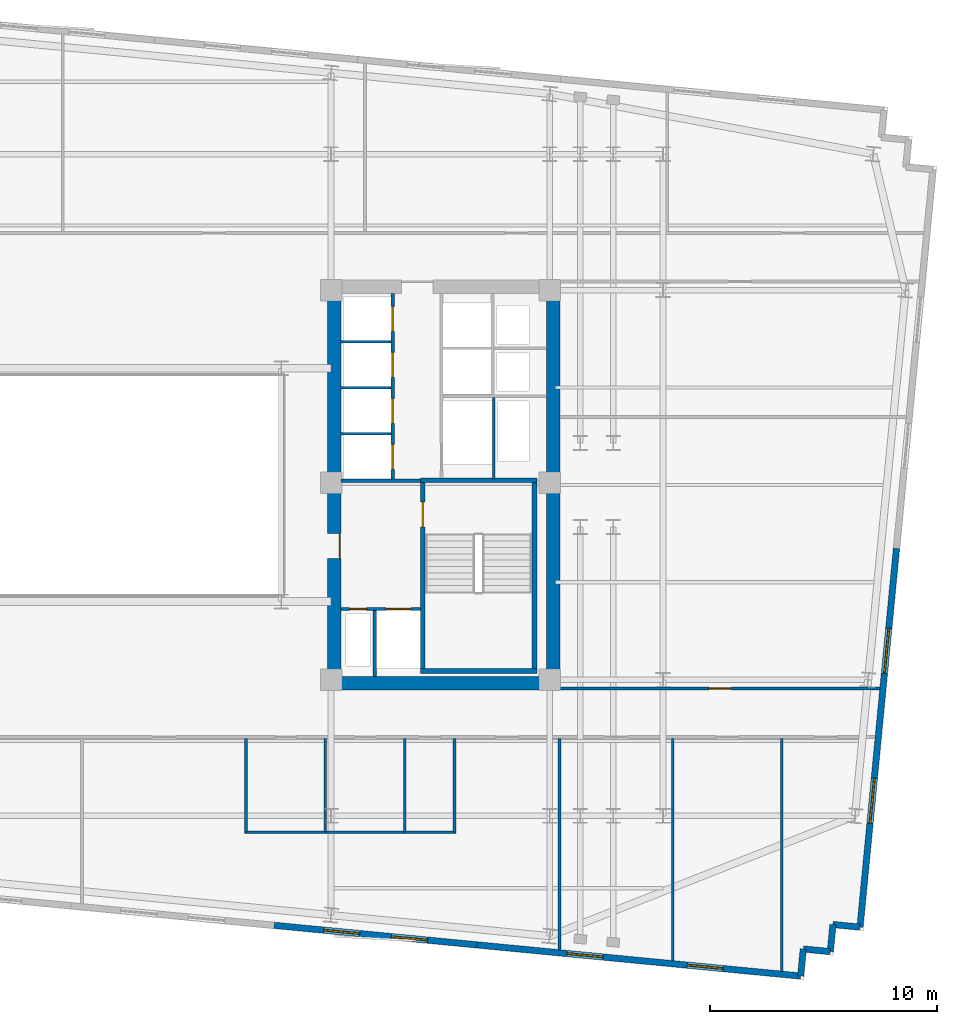
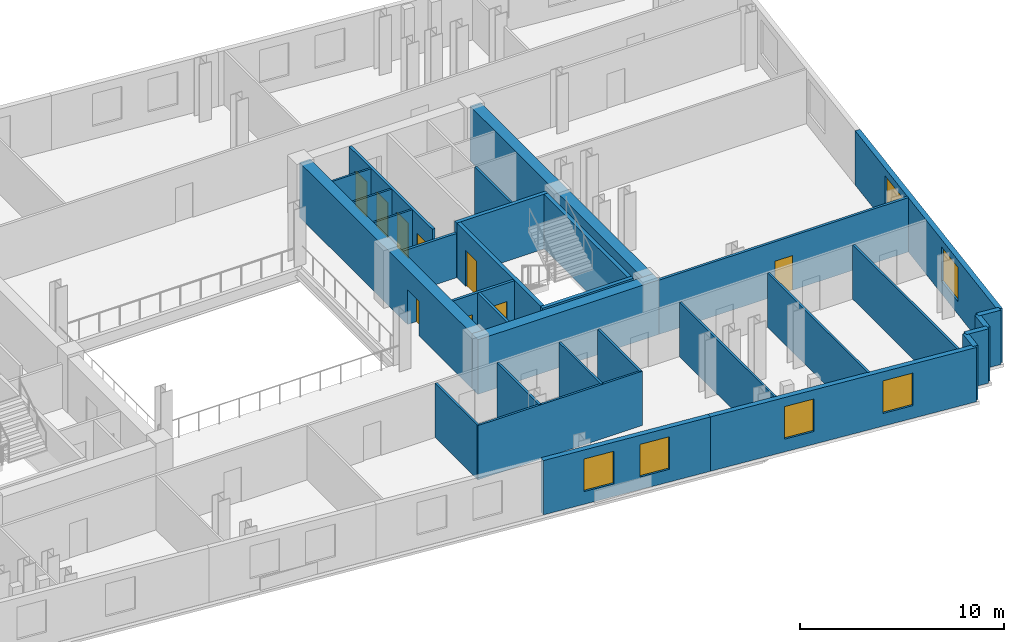
# One storey, part 5 of 9: 31 walls, 9 doors, 6 windows, 15 openings.
"""IFC4 building model written with IfcOpenShell, lengths in metres."""

from ifc_helpers import new_model, si_unit, direction, frame, frame_2d, origin, place, context, subcontext, project, spatial, rectangle, extrude, material, layer, layer_set, type_object, element, fill, save


model = new_model("IFC4")

# Units and contexts
model_context = context("Model", 3, precision=1e-05, world=origin(), true_north=direction((0.0, 1.0)))
body_context = subcontext(model_context, "Body", "Model", "MODEL_VIEW")
ifc_project = project(units=[si_unit("LENGTHUNIT", "METRE"), si_unit("AREAUNIT", "SQUARE_METRE"), si_unit("VOLUMEUNIT", "CUBIC_METRE"), si_unit("PLANEANGLEUNIT", "RADIAN"), si_unit("MASSUNIT", "GRAM", prefix="KILO")], contexts=[model_context])

# Site, building, storey
site_placement = place(None, origin())
site = spatial("IfcSite", under=ifc_project, at=site_placement, CompositionType="ELEMENT")
building_placement = place(site_placement, origin())
building = spatial("IfcBuilding", under=site, at=building_placement, Name="Velakula Bourse", CompositionType="ELEMENT")
storey_placement = place(building_placement, frame((0.0, 0.0, 177.64990234375)))
storey = spatial("IfcBuildingStorey", under=building, at=storey_placement, Name="L48", CompositionType="ELEMENT", Elevation=177.64990234375)

# Wall, opening, door
ifc_material_1 = material(Name="Concrete M50 (fck 50 MPa)", Category="concrete")
ifc_layer_1 = layer(ifc_material_1, 0.2099609375, Name="Concrete M50 (fck 50 MPa)", Category="concrete")
ifc_layer_set_1 = layer_set([ifc_layer_1], Name="Concrete M50 (fck 50 MPa)")
wall_type_1 = type_object("IfcWallType", Name="WL-CORE-210", PredefinedType="SHEAR", material=ifc_layer_set_1)
wall_1_placement = place(storey_placement, frame((12.9951171875, -8.10009765625, 0.0), z_axis=(0.0, 0.0, 1.0), x_axis=(0.0, 1.0, 0.0)))
wall_1 = element("IfcWall", 1, at=wall_1_placement, inside=storey, type_object=wall_type_1, Name="L48 Core E Stairwell Shear Wall IN", PredefinedType="SHEAR", context=body_context, shape_type="SweptSolid", body=[
    extrude(rectangle(XDim=8.2001953125, YDim=0.2099609375, at=frame_2d((4.10009765625, 0.0))), origin(), (0.0, 0.0, 1.0), 3.27001953125),
])
opening_1_placement = place(wall_1_placement, frame((6.25, 0.0, 0.0)))
opening_1 = element("IfcOpeningElement", 2, at=opening_1_placement, cuts=wall_1, Name="Opening D-STE1", PredefinedType="OPENING", context=body_context, shape_type="SweptSolid", body=[
    extrude(rectangle(XDim=1.10009765625, YDim=2.14990234375, at=frame_2d((0.550048828125, 1.074951171875))), frame((0.0, 0.114990234375, 0.0), z_axis=(0.0, -1.0, 0.0), x_axis=(1.0, 0.0, 0.0)), (0.0, 0.0, 1.0), 0.22998046875),
])
ifc_material_2 = material(Name="Galvanised painted hollow steel fire door", Category="steel")
door_type_1 = type_object("IfcDoorType", Name="DR-FD120-1100x2150", OperationType="NOTDEFINED", PredefinedType="DOOR", material=ifc_material_2)
door_1_placement = place(opening_1_placement, origin())
door_1 = element("IfcDoor", 3, at=door_1_placement, inside=storey, type_object=door_type_1, Name="L48 Stair ST-E1 Fire Door", OperationType="SINGLE_SWING_RIGHT", OverallHeight=2.14990234375, OverallWidth=1.10009765625, PredefinedType="DOOR", context=body_context, shape_type="SweptSolid", body=[
    extrude(rectangle(XDim=1.10009765625, YDim=2.14990234375, at=frame_2d((0.550048828125, 1.074951171875))), frame((0.0, 0.02490234375, 0.0), z_axis=(0.0, -1.0, 0.0), x_axis=(1.0, 0.0, 0.0)), (0.0, 0.0, 1.0), 0.050048828125),
])
fill(opening_1, door_1)

# Walls
wall_2_placement = place(storey_placement, frame((17.925048828125, -8.10009765625, 0.0), z_axis=(0.0, 0.0, 1.0), x_axis=(0.0, 1.0, 0.0)))
element("IfcWall", 4, at=wall_2_placement, inside=storey, type_object=wall_type_1, Name="L48 Core E Stairwell Shear Wall OUT", PredefinedType="SHEAR", context=body_context, shape_type="SweptSolid", body=[
    extrude(rectangle(XDim=8.2001953125, YDim=0.2099609375, at=frame_2d((4.10009765625, 0.0))), origin(), (0.0, 0.0, 1.0), 3.27001953125),
])
for number, where, z_axis, x_axis, name in (
    (5, (12.889892578125, -8.205078125, 0.0), (0.0, 0.0, 1.0), (1.0, 0.0, 0.0), "L48 Core E Stairwell Shear Wall S"),
    (6, (18.030029296875, 0.205078125, 0.0), (0.0, 0.0, 1.0), (-1.0, 0.0, 0.0), "L48 Core E Stairwell Shear Wall N"),
):
    element("IfcWall", number, at=place(storey_placement, frame(where, z_axis=z_axis, x_axis=x_axis)), inside=storey, type_object=wall_type_1, Name=name, PredefinedType="SHEAR", context=body_context, shape_type="SweptSolid", body=[
        extrude(rectangle(XDim=5.14013671875, YDim=0.2099609375, at=frame_2d((2.570068359375, 0.0))), origin(), (0.0, 0.0, 1.0), 3.27001953125),
    ])
ifc_material_3 = material(Name="Concrete M70 (fck 70 MPa)", Category="concrete")
ifc_layer_2 = layer(ifc_material_3, 0.60009765625, Name="Concrete M70 (fck 70 MPa)", Category="concrete")
ifc_layer_set_2 = layer_set([ifc_layer_2], Name="Concrete M70 (fck 70 MPa)")
wall_type_2 = type_object("IfcWallType", Name="WL-CORE-600", PredefinedType="SHEAR", material=ifc_layer_set_2)
wall_3_placement = place(storey_placement, frame((8.800048828125, -8.75, 0.0), z_axis=(0.0, 0.0, 1.0), x_axis=(1.0, 0.0, 0.0)))
element("IfcWall", 7, at=wall_3_placement, inside=storey, type_object=wall_type_2, Name="L48 Core E Shear Wall S", PredefinedType="SHEAR", context=body_context, shape_type="SweptSolid", body=[
    extrude(rectangle(XDim=10.25, YDim=0.60009765625, at=frame_2d((5.125, 0.0))), origin(), (0.0, 0.0, 1.0), 3.27001953125),
])

# Wall, opening, door
wall_4_placement = place(storey_placement, frame((9.10009765625, -8.449951171875, 0.0), z_axis=(0.0, 0.0, 1.0), x_axis=(0.0, 1.0, 0.0)))
wall_4 = element("IfcWall", 8, at=wall_4_placement, inside=storey, type_object=wall_type_2, Name="L48 Core E Shear Wall W", PredefinedType="SHEAR", context=body_context, shape_type="SweptSolid", body=[
    extrude(rectangle(XDim=16.89990234375, YDim=0.60009765625, at=frame_2d((8.449951171875, 0.0))), origin(), (0.0, 0.0, 1.0), 3.27001953125),
])
opening_2_placement = place(wall_4_placement, frame((5.199951171875, 0.0, 0.0)))
opening_2 = element("IfcOpeningElement", 9, at=opening_2_placement, cuts=wall_4, Name="Opening D-FLE", PredefinedType="OPENING", context=body_context, shape_type="SweptSolid", body=[
    extrude(rectangle(XDim=1.10009765625, YDim=2.080078125, at=frame_2d((0.550048828125, 1.0400390625))), frame((0.0, 0.31005859375, 0.0), z_axis=(0.0, -1.0, 0.0), x_axis=(1.0, 0.0, 0.0)), (0.0, 0.0, 1.0), 0.6201171875),
])
door_type_2 = type_object("IfcDoorType", Name="DR-FD120-1100", OperationType="NOTDEFINED", PredefinedType="DOOR", material=ifc_material_2)
door_2_placement = place(opening_2_placement, origin())
door_2 = element("IfcDoor", 10, at=door_2_placement, inside=storey, type_object=door_type_2, Name="L48 Firefighting Lobby E Corridor Fire Door", OperationType="SINGLE_SWING_RIGHT", OverallHeight=2.080078125, OverallWidth=1.10009765625, PredefinedType="DOOR", context=body_context, shape_type="SweptSolid", body=[
    extrude(rectangle(XDim=1.10009765625, YDim=2.080078125, at=frame_2d((0.550048828125, 1.0400390625))), frame((0.0, -0.205078125, 0.0), z_axis=(0.0, -1.0, 0.0), x_axis=(1.0, 0.0, 0.0)), (0.0, 0.0, 1.0), 0.050048828125),
])
fill(opening_2, door_2)

# Wall
wall_5_placement = place(storey_placement, frame((18.75, -8.449951171875, 0.0), z_axis=(0.0, 0.0, 1.0), x_axis=(0.0, 1.0, 0.0)))
element("IfcWall", 11, at=wall_5_placement, inside=storey, type_object=wall_type_2, Name="L48 Core E Shear Wall E", PredefinedType="SHEAR", context=body_context, shape_type="SweptSolid", body=[
    extrude(rectangle(XDim=16.89990234375, YDim=0.60009765625, at=frame_2d((8.449951171875, 0.0))), origin(), (0.0, 0.0, 1.0), 3.27001953125),
])

# Wall, openings, windows
ifc_material_4 = material(Name="Red kilned clay facing brick masonry", Category="masonry")
ifc_layer_3 = layer(ifc_material_4, 0.280029296875, Name="Red kilned clay facing brick masonry", Category="masonry")
ifc_layer_set_3 = layer_set([ifc_layer_3], Name="Red kilned clay facing brick masonry")
wall_type_3 = type_object("IfcWallType", Name="WL-EXT-BRK-280", PredefinedType="STANDARD", material=ifc_layer_set_3)
wall_6_placement = place(storey_placement, frame((15.398681640625, -20.295654296875, 0.0), z_axis=(0.0, 0.0, 1.0), x_axis=(-0.995394455533, 0.09586385082, 0.0)))
wall_6 = element("IfcWall", 12, at=wall_6_placement, inside=storey, type_object=wall_type_3, Name="L48 S Brick Spandrel Wall B4", PredefinedType="STANDARD", context=body_context, shape_type="SweptSolid", body=[
    extrude(rectangle(XDim=9.000244140625, YDim=0.280029296875, at=frame_2d((4.5, 0.0))), origin(), (0.0, 0.0, 1.0), 3.25),
])
opening_3_placement = place(wall_6_placement, frame((2.199951171875, 0.0, 0.760009765625)))
opening_3 = element("IfcOpeningElement", 13, at=opening_3_placement, cuts=wall_6, Name="Opening W-02", PredefinedType="OPENING", context=body_context, shape_type="SweptSolid", body=[
    extrude(rectangle(XDim=1.60009765625, YDim=1.949951171875, at=frame_2d((0.800048828125, 0.97509765625))), frame((0.0, 0.14990234375, 0.0), z_axis=(0.0, -1.0, 0.0), x_axis=(1.0, 0.0, 0.0)), (0.0, 0.0, 1.0), 0.300048828125),
])
opening_4_placement = place(wall_6_placement, frame((5.199951171875, 0.0, 0.760009765625)))
opening_4 = element("IfcOpeningElement", 14, at=opening_4_placement, cuts=wall_6, Name="Opening W-02", PredefinedType="OPENING", context=body_context, shape_type="SweptSolid", body=[
    extrude(rectangle(XDim=1.60009765625, YDim=1.949951171875, at=frame_2d((0.800048828125, 0.97509765625))), frame((0.0, 0.14990234375, 0.0), z_axis=(0.0, -1.0, 0.0), x_axis=(1.0, 0.0, 0.0)), (0.0, 0.0, 1.0), 0.300048828125),
])
ifc_material_5 = material(Name="Double-glazed solar-control Low-E glass", Category="glass")
window_type_1 = type_object("IfcWindowType", Name="WIN-TWR-1600x2100", PartitioningType="SINGLE_PANEL", PredefinedType="WINDOW", material=ifc_material_5)
window_1_placement = place(opening_3_placement, origin())
window_1 = element("IfcWindow", 15, at=window_1_placement, inside=storey, type_object=window_type_1, Name="L48 Deep-Set Recessed Window 1", OverallHeight=1.949951171875, OverallWidth=1.60009765625, PartitioningType="SINGLE_PANEL", PredefinedType="WINDOW", context=body_context, shape_type="SweptSolid", body=[
    extrude(rectangle(XDim=1.60009765625, YDim=1.949951171875, at=frame_2d((0.800048828125, 0.97509765625))), frame((0.0, 0.030029296875, 0.0), z_axis=(0.0, -1.0, 0.0), x_axis=(1.0, 0.0, 0.0)), (0.0, 0.0, 1.0), 0.06005859375),
])
fill(opening_3, window_1)
window_2_placement = place(opening_4_placement, origin())
window_2 = element("IfcWindow", 16, at=window_2_placement, inside=storey, type_object=window_type_1, Name="L48 Deep-Set Recessed Window 2", OverallHeight=1.949951171875, OverallWidth=1.60009765625, PartitioningType="SINGLE_PANEL", PredefinedType="WINDOW", context=body_context, shape_type="SweptSolid", body=[
    extrude(rectangle(XDim=1.60009765625, YDim=1.949951171875, at=frame_2d((0.800048828125, 0.97509765625))), frame((0.0, 0.030029296875, 0.0), z_axis=(0.0, -1.0, 0.0), x_axis=(1.0, 0.0, 0.0)), (0.0, 0.0, 1.0), 0.06005859375),
])
fill(opening_4, window_2)

wall_7_placement = place(storey_placement, frame((29.672607421875, -21.669921875, 0.0), z_axis=(0.0, 0.0, 1.0), x_axis=(-0.995397230529, 0.095835032509, 0.0)))
wall_7 = element("IfcWall", 17, at=wall_7_placement, inside=storey, type_object=wall_type_3, Name="L48 S Brick Spandrel Wall B5", PredefinedType="STANDARD", context=body_context, shape_type="SweptSolid", body=[
    extrude(rectangle(XDim=14.33984375, YDim=0.280029296875, at=frame_2d((7.169921875, 0.0))), origin(), (0.0, 0.0, 1.0), 3.25),
])
opening_5_placement = place(wall_7_placement, frame((3.429931640625, 0.0, 0.760009765625)))
opening_5 = element("IfcOpeningElement", 18, at=opening_5_placement, cuts=wall_7, Name="Opening W-02", PredefinedType="OPENING", context=body_context, shape_type="SweptSolid", body=[
    extrude(rectangle(XDim=1.60009765625, YDim=1.949951171875, at=frame_2d((0.800048828125, 0.97509765625))), frame((0.0, 0.14990234375, 0.0), z_axis=(0.0, -1.0, 0.0), x_axis=(1.0, 0.0, 0.0)), (0.0, 0.0, 1.0), 0.300048828125),
])
opening_6_placement = place(wall_7_placement, frame((8.760009765625, 0.0, 0.760009765625)))
opening_6 = element("IfcOpeningElement", 19, at=opening_6_placement, cuts=wall_7, Name="Opening W-02", PredefinedType="OPENING", context=body_context, shape_type="SweptSolid", body=[
    extrude(rectangle(XDim=1.60009765625, YDim=1.949951171875, at=frame_2d((0.800048828125, 0.97509765625))), frame((0.0, 0.14990234375, 0.0), z_axis=(0.0, -1.0, 0.0), x_axis=(1.0, 0.0, 0.0)), (0.0, 0.0, 1.0), 0.300048828125),
])
window_3_placement = place(opening_5_placement, origin())
window_3 = element("IfcWindow", 20, at=window_3_placement, inside=storey, type_object=window_type_1, Name="L48 Deep-Set Recessed Window 1", OverallHeight=1.949951171875, OverallWidth=1.60009765625, PartitioningType="SINGLE_PANEL", PredefinedType="WINDOW", context=body_context, shape_type="SweptSolid", body=[
    extrude(rectangle(XDim=1.60009765625, YDim=1.949951171875, at=frame_2d((0.800048828125, 0.97509765625))), frame((0.0, 0.030029296875, 0.0), z_axis=(0.0, -1.0, 0.0), x_axis=(1.0, 0.0, 0.0)), (0.0, 0.0, 1.0), 0.06005859375),
])
fill(opening_5, window_3)
window_4_placement = place(opening_6_placement, origin())
window_4 = element("IfcWindow", 21, at=window_4_placement, inside=storey, type_object=window_type_1, Name="L48 Deep-Set Recessed Window 2", OverallHeight=1.949951171875, OverallWidth=1.60009765625, PartitioningType="SINGLE_PANEL", PredefinedType="WINDOW", context=body_context, shape_type="SweptSolid", body=[
    extrude(rectangle(XDim=1.60009765625, YDim=1.949951171875, at=frame_2d((0.800048828125, 0.97509765625))), frame((0.0, 0.030029296875, 0.0), z_axis=(0.0, -1.0, 0.0), x_axis=(1.0, 0.0, 0.0)), (0.0, 0.0, 1.0), 0.06005859375),
])
fill(opening_6, window_4)

wall_8_placement = place(storey_placement, frame((33.90087890625, -2.79833984375, 0.0), z_axis=(0.0, 0.0, 1.0), x_axis=(-0.095853434568, -0.99539545864, 0.0)))
wall_8 = element("IfcWall", 22, at=wall_8_placement, inside=storey, type_object=wall_type_3, Name="L48 E Brick End Wall W1", PredefinedType="STANDARD", context=body_context, shape_type="SweptSolid", body=[
    extrude(rectangle(XDim=16.7900390625, YDim=0.280029296875, at=frame_2d((8.39501953125, 0.0))), origin(), (0.0, 0.0, 1.0), 3.25),
])
opening_7_placement = place(wall_8_placement, frame((3.546630859375, 0.0, 0.760009765625)))
opening_7 = element("IfcOpeningElement", 23, at=opening_7_placement, cuts=wall_8, Name="Opening W-05", PredefinedType="OPENING", context=body_context, shape_type="SweptSolid", body=[
    extrude(rectangle(XDim=2.0, YDim=2.050048828125, at=frame_2d((1.0, 1.02490234375))), frame((0.0, 0.14990234375, 0.0), z_axis=(0.0, -1.0, 0.0), x_axis=(1.0, 0.0, 0.0)), (0.0, 0.0, 1.0), 0.300048828125),
])
opening_8_placement = place(wall_8_placement, frame((10.193359375, 0.0, 0.760009765625)))
opening_8 = element("IfcOpeningElement", 24, at=opening_8_placement, cuts=wall_8, Name="Opening W-05", PredefinedType="OPENING", context=body_context, shape_type="SweptSolid", body=[
    extrude(rectangle(XDim=2.0, YDim=2.050048828125, at=frame_2d((1.0, 1.02490234375))), frame((0.0, 0.14990234375, 0.0), z_axis=(0.0, -1.0, 0.0), x_axis=(1.0, 0.0, 0.0)), (0.0, 0.0, 1.0), 0.300048828125),
])
window_type_2 = type_object("IfcWindowType", Name="WIN-TWR-2000x2200", PartitioningType="DOUBLE_PANEL_VERTICAL", PredefinedType="WINDOW", material=ifc_material_5)
window_5_placement = place(opening_7_placement, origin())
window_5 = element("IfcWindow", 25, at=window_5_placement, inside=storey, type_object=window_type_2, Name="L48 Deep-Set Recessed Window 1", OverallHeight=2.050048828125, OverallWidth=2.0, PartitioningType="DOUBLE_PANEL_VERTICAL", PredefinedType="WINDOW", context=body_context, shape_type="SweptSolid", body=[
    extrude(rectangle(XDim=2.0, YDim=2.050048828125, at=frame_2d((1.0, 1.02490234375))), frame((0.0, 0.030029296875, 0.0), z_axis=(0.0, -1.0, 0.0), x_axis=(1.0, 0.0, 0.0)), (0.0, 0.0, 1.0), 0.06005859375),
])
fill(opening_7, window_5)
window_6_placement = place(opening_8_placement, origin())
window_6 = element("IfcWindow", 26, at=window_6_placement, inside=storey, type_object=window_type_2, Name="L48 Deep-Set Recessed Window 2", OverallHeight=2.050048828125, OverallWidth=2.0, PartitioningType="DOUBLE_PANEL_VERTICAL", PredefinedType="WINDOW", context=body_context, shape_type="SweptSolid", body=[
    extrude(rectangle(XDim=2.0, YDim=2.050048828125, at=frame_2d((1.0, 1.02490234375))), frame((0.0, 0.030029296875, 0.0), z_axis=(0.0, -1.0, 0.0), x_axis=(1.0, 0.0, 0.0)), (0.0, 0.0, 1.0), 0.06005859375),
])
fill(opening_8, window_6)

# Walls
for number, where, z_axis, x_axis, name in (
    (27, (29.672607421875, -21.669921875, 0.0), (0.0, 0.0, 1.0), (0.095836473879, 0.995397091755, 0.0), "L48 Serrated Corner Brick Wall SE-1"),
    (28, (29.78759765625, -20.4755859375, 0.0), (0.0, 0.0, 1.0), (0.995397091755, -0.095836473879, 0.0), "L48 Serrated Corner Brick Wall SE-2"),
):
    element("IfcWall", number, at=place(storey_placement, frame(where, z_axis=z_axis, x_axis=x_axis)), inside=storey, type_object=wall_type_3, Name=name, PredefinedType="STANDARD", context=body_context, shape_type="SweptSolid", body=[
        extrude(rectangle(XDim=1.199951171875, YDim=0.280029296875, at=frame_2d((0.60009765625, 0.0))), origin(), (0.0, 0.0, 1.0), 3.25),
    ])
wall_9_placement = place(storey_placement, frame((30.98193359375, -20.590576171875, 0.0), z_axis=(0.0, 0.0, 1.0), x_axis=(0.096018626938, 0.995379537303, 0.0)))
element("IfcWall", 29, at=wall_9_placement, inside=storey, type_object=wall_type_3, Name="L48 Serrated Corner Brick Wall SE-3", PredefinedType="STANDARD", context=body_context, shape_type="SweptSolid", body=[
    extrude(rectangle(XDim=1.2001953125, YDim=0.280029296875, at=frame_2d((0.60009765625, 0.0))), origin(), (0.0, 0.0, 1.0), 3.25),
])
wall_10_placement = place(storey_placement, frame((31.09716796875, -19.39599609375, 0.0), z_axis=(0.0, 0.0, 1.0), x_axis=(0.995397091755, -0.095836473879, 0.0)))
element("IfcWall", 30, at=wall_10_placement, inside=storey, type_object=wall_type_3, Name="L48 Serrated Corner Brick Wall SE-4", PredefinedType="STANDARD", context=body_context, shape_type="SweptSolid", body=[
    extrude(rectangle(XDim=1.199951171875, YDim=0.280029296875, at=frame_2d((0.60009765625, 0.0))), origin(), (0.0, 0.0, 1.0), 3.25),
])
ifc_material_6 = material(Name="Fire-rated double-layer gypsum drywall partition", Category="gypsum")
ifc_layer_4 = layer(ifc_material_6, 0.1201171875, Name="Fire-rated double-layer gypsum drywall partition", Category="gypsum")
ifc_layer_set_4 = layer_set([ifc_layer_4], Name="Fire-rated double-layer gypsum drywall partition")
wall_type_4 = type_object("IfcWallType", Name="WL-PART-120", PredefinedType="STANDARD", material=ifc_layer_set_4)
for number, where, z_axis, x_axis, name in (
    (31, (9.39990234375, 2.2548828125, 0.0), (0.0, 0.0, 1.0), (1.0, 0.0, 0.0), "L48 Interior Partition WL-CRE-L48-BDIV-0"),
    (32, (9.39990234375, 4.284912109375, 0.0), (0.0, 0.0, 1.0), (1.0, 0.0, 0.0), "L48 Interior Partition WL-CRE-L48-BDIV-1"),
    (33, (9.39990234375, 6.31494140625, 0.0), (0.0, 0.0, 1.0), (1.0, 0.0, 0.0), "L48 Interior Partition WL-CRE-L48-BDIV-2"),
):
    element("IfcWall", number, at=place(storey_placement, frame(where, z_axis=z_axis, x_axis=x_axis)), inside=storey, type_object=wall_type_4, Name=name, PredefinedType="STANDARD", context=body_context, shape_type="SweptSolid", body=[
        extrude(rectangle(XDim=2.2001953125, YDim=0.110107421875, at=frame_2d((1.10009765625, 0.0))), origin(), (0.0, 0.0, 1.0), 3.25),
    ])
wall_11_placement = place(storey_placement, frame((16.125, 0.27001953125, 0.0), z_axis=(0.0, 0.0, 1.0), x_axis=(0.0, 1.0, 0.0)))
element("IfcWall", 34, at=wall_11_placement, inside=storey, type_object=wall_type_4, Name="L48 Interior Partition WL-CRE-L48-SVL-E", PredefinedType="STANDARD", context=body_context, shape_type="SweptSolid", body=[
    extrude(rectangle(XDim=3.590087890625, YDim=0.1201171875, at=frame_2d((1.794921875, 0.0))), origin(), (0.0, 0.0, 1.0), 3.25),
])
wall_12_placement = place(storey_placement, frame((5.139892578125, -15.320068359375, 0.0), z_axis=(0.0, 0.0, 1.0), x_axis=(1.0, 0.0, 0.0)))
element("IfcWall", 35, at=wall_12_placement, inside=storey, type_object=wall_type_4, Name="L48 Interior Partition WL-WC-L48-BACK", PredefinedType="STANDARD", context=body_context, shape_type="SweptSolid", body=[
    extrude(rectangle(XDim=9.320068359375, YDim=0.1201171875, at=frame_2d((4.66015625, 0.0))), origin(), (0.0, 0.0, 1.0), 3.25),
])
for number, where, z_axis, x_axis, name in (
    (36, (5.199951171875, -15.320068359375, 0.0), (0.0, 0.0, 1.0), (0.0, 1.0, 0.0), "L48 Interior Partition WL-WC-L48-V1"),
    (37, (8.699951171875, -15.320068359375, 0.0), (0.0, 0.0, 1.0), (0.0, 1.0, 0.0), "L48 Interior Partition WL-WC-L48-V2"),
    (38, (12.199951171875, -15.320068359375, 0.0), (0.0, 0.0, 1.0), (0.0, 1.0, 0.0), "L48 Interior Partition WL-WC-L48-V3"),
    (39, (14.39990234375, -15.320068359375, 0.0), (0.0, 0.0, 1.0), (0.0, 1.0, 0.0), "L48 Interior Partition WL-WC-L48-V4"),
):
    element("IfcWall", number, at=place(storey_placement, frame(where, z_axis=z_axis, x_axis=x_axis)), inside=storey, type_object=wall_type_4, Name=name, PredefinedType="STANDARD", context=body_context, shape_type="SweptSolid", body=[
        extrude(rectangle(XDim=4.130126953125, YDim=0.1201171875, at=frame_2d((2.06494140625, 0.0))), origin(), (0.0, 0.0, 1.0), 3.25),
    ])
wall_13_placement = place(storey_placement, frame((19.028076171875, -20.5244140625, 0.0), z_axis=(0.0, 0.0, 1.0), x_axis=(0.0, 1.0, 0.0)))
element("IfcWall", 40, at=wall_13_placement, inside=storey, type_object=wall_type_4, Name="L48 Interior Partition WL-INT-L48-SR-D8", PredefinedType="STANDARD", context=body_context, shape_type="SweptSolid", body=[
    extrude(rectangle(XDim=9.33447265625, YDim=0.1201171875, at=frame_2d((4.667236328125, 0.0))), origin(), (0.0, 0.0, 1.0), 3.25),
])
wall_14_placement = place(storey_placement, frame((24.02587890625, -21.005615234375, 0.0), z_axis=(0.0, 0.0, 1.0), x_axis=(0.0, 1.0, 0.0)))
element("IfcWall", 41, at=wall_14_placement, inside=storey, type_object=wall_type_4, Name="L48 Interior Partition WL-INT-L48-SR-D9", PredefinedType="STANDARD", context=body_context, shape_type="SweptSolid", body=[
    extrude(rectangle(XDim=9.815673828125, YDim=0.1201171875, at=frame_2d((4.90771484375, 0.0))), origin(), (0.0, 0.0, 1.0), 3.25),
])
wall_15_placement = place(storey_placement, frame((28.839111328125, -21.46923828125, 0.0), z_axis=(0.0, 0.0, 1.0), x_axis=(0.0, 1.0, 0.0)))
element("IfcWall", 42, at=wall_15_placement, inside=storey, type_object=wall_type_4, Name="L48 Interior Partition WL-INT-L48-SR-D10", PredefinedType="STANDARD", context=body_context, shape_type="SweptSolid", body=[
    extrude(rectangle(XDim=10.279296875, YDim=0.1201171875, at=frame_2d((5.1396484375, 0.0))), origin(), (0.0, 0.0, 1.0), 3.25),
])

# Wall, opening, door
ifc_layer_5 = layer(ifc_material_6, 0.139892578125, Name="Fire-rated double-layer gypsum drywall partition", Category="gypsum")
ifc_layer_set_5 = layer_set([ifc_layer_5], Name="Fire-rated double-layer gypsum drywall partition")
wall_type_5 = type_object("IfcWallType", Name="WL-PART-140", PredefinedType="STANDARD", material=ifc_layer_set_5)
wall_16_placement = place(storey_placement, frame((19.050048828125, -8.97998046875, 0.0), z_axis=(0.0, 0.0, 1.0), x_axis=(1.0, 0.0, 0.0)))
wall_16 = element("IfcWall", 43, at=wall_16_placement, inside=storey, type_object=wall_type_5, Name="L48 Interior Partition WL-INT-L48-E-SC", PredefinedType="STANDARD", context=body_context, shape_type="SweptSolid", body=[
    extrude(rectangle(XDim=14.135009765625, YDim=0.139892578125, at=frame_2d((7.0673828125, 0.0))), origin(), (0.0, 0.0, 1.0), 3.25),
])
opening_9_placement = place(wall_16_placement, frame((6.5673828125, 0.0, 0.0)))
opening_9 = element("IfcOpeningElement", 44, at=opening_9_placement, cuts=wall_16, Name="Opening D-OF1", PredefinedType="OPENING", context=body_context, shape_type="SweptSolid", body=[
    extrude(rectangle(XDim=1.0, YDim=2.080078125, at=frame_2d((0.5, 1.0400390625))), frame((0.0, 0.079833984375, 0.0), z_axis=(0.0, -1.0, 0.0), x_axis=(1.0, 0.0, 0.0)), (0.0, 0.0, 1.0), 0.159912109375),
])
ifc_material_7 = material(Name="Fire-rated hardwood flush architectural door", Category="wood")
door_type_3 = type_object("IfcDoorType", Name="DR-OFF-1000", OperationType="NOTDEFINED", PredefinedType="DOOR", material=ifc_material_7)
door_3_placement = place(opening_9_placement, origin())
door_3 = element("IfcDoor", 45, at=door_3_placement, inside=storey, type_object=door_type_3, Name="L48 Interest-Rate Swaps Workspace Door", OperationType="SINGLE_SWING_RIGHT", OverallHeight=2.080078125, OverallWidth=1.0, PredefinedType="DOOR", context=body_context, shape_type="SweptSolid", body=[
    extrude(rectangle(XDim=1.0, YDim=2.080078125, at=frame_2d((0.5, 1.0400390625))), frame((0.0, 0.02490234375, 0.0), z_axis=(0.0, -1.0, 0.0), x_axis=(1.0, 0.0, 0.0)), (0.0, 0.0, 1.0), 0.050048828125),
])
fill(opening_9, door_3)

# Wall, openings, doors
ifc_material_8 = material(Name="Autoclaved aerated concrete blockwork masonry", Category="masonry")
ifc_layer_6 = layer(ifc_material_8, 0.14990234375, Name="Autoclaved aerated concrete blockwork masonry", Category="masonry")
ifc_layer_set_6 = layer_set([ifc_layer_6], Name="Autoclaved aerated concrete blockwork masonry")
wall_type_6 = type_object("IfcWallType", Name="WL-SHAFT-150", PredefinedType="STANDARD", material=ifc_layer_set_6)
wall_17_placement = place(storey_placement, frame((9.39990234375, -5.47509765625, 0.0), z_axis=(0.0, 0.0, 1.0), x_axis=(1.0, 0.0, 0.0)))
wall_17 = element("IfcWall", 46, at=wall_17_placement, inside=storey, type_object=wall_type_6, Name="L48 Interior Partition WL-CRE-L48-FFL-N", PredefinedType="STANDARD", context=body_context, shape_type="SweptSolid", body=[
    extrude(rectangle(XDim=3.4951171875, YDim=0.14990234375, at=frame_2d((1.74755859375, 0.0))), origin(), (0.0, 0.0, 1.0), 3.25),
])
opening_10_placement = place(wall_17_placement, frame((1.97509765625, 0.0, 0.0)))
opening_10 = element("IfcOpeningElement", 47, at=opening_10_placement, cuts=wall_17, Name="Opening LD-FFL-2", PredefinedType="OPENING", context=body_context, shape_type="SweptSolid", body=[
    extrude(rectangle(XDim=1.10009765625, YDim=2.14990234375, at=frame_2d((0.550048828125, 1.074951171875))), frame((0.0, 0.0849609375, 0.0), z_axis=(0.0, -1.0, 0.0), x_axis=(1.0, 0.0, 0.0)), (0.0, 0.0, 1.0), 0.169921875),
])
opening_11_placement = place(wall_17_placement, frame((0.375, 0.0, 0.0)))
opening_11 = element("IfcOpeningElement", 48, at=opening_11_placement, cuts=wall_17, Name="Opening D-RS1", PredefinedType="OPENING", context=body_context, shape_type="SweptSolid", body=[
    extrude(rectangle(XDim=0.75, YDim=2.050048828125, at=frame_2d((0.375, 1.02490234375))), frame((0.0, 0.0849609375, 0.0), z_axis=(0.0, -1.0, 0.0), x_axis=(1.0, 0.0, 0.0)), (0.0, 0.0, 1.0), 0.169921875),
])
door_type_4 = type_object("IfcDoorType", Name="DR-RISER-800", OperationType="NOTDEFINED", PredefinedType="DOOR", material=ifc_material_2)
door_4_placement = place(opening_11_placement, origin())
door_4 = element("IfcDoor", 49, at=door_4_placement, inside=storey, type_object=door_type_4, Name="L48 Fire Riser Access Door", OperationType="SINGLE_SWING_LEFT", OverallHeight=2.050048828125, OverallWidth=0.75, PredefinedType="DOOR", context=body_context, shape_type="SweptSolid", body=[
    extrude(rectangle(XDim=0.75, YDim=2.050048828125, at=frame_2d((0.375, 1.02490234375))), frame((0.0, 0.02490234375, 0.0), z_axis=(0.0, -1.0, 0.0), x_axis=(1.0, 0.0, 0.0)), (0.0, 0.0, 1.0), 0.050048828125),
])
fill(opening_11, door_4)
ifc_material_9 = material(Name="Brushed grade 316 stainless steel", Category="steel")
door_type_5 = type_object("IfcDoorType", Name="DR-SLIDE-FFL-1100", OperationType="DOUBLE_DOOR_SLIDING", PredefinedType="DOOR", material=ifc_material_9)
door_5_placement = place(opening_10_placement, origin())
door_5 = element("IfcDoor", 50, at=door_5_placement, inside=storey, type_object=door_type_5, Name="L48 Firefighting Lift FFL-2 Sliding Landing Door", OperationType="DOUBLE_DOOR_SLIDING", OverallHeight=2.14990234375, OverallWidth=1.10009765625, PredefinedType="DOOR", context=body_context, shape_type="SweptSolid", body=[
    extrude(rectangle(XDim=1.10009765625, YDim=2.14990234375, at=frame_2d((0.550048828125, 1.074951171875))), frame((0.0, 0.02490234375, 0.0), z_axis=(0.0, -1.0, 0.0), x_axis=(1.0, 0.0, 0.0)), (0.0, 0.0, 1.0), 0.050048828125),
])
fill(opening_10, door_5)

# Walls
wall_18_placement = place(storey_placement, frame((10.875, -8.449951171875, 0.0), z_axis=(0.0, 0.0, 1.0), x_axis=(0.0, 1.0, 0.0)))
element("IfcWall", 51, at=wall_18_placement, inside=storey, type_object=wall_type_6, Name="L48 Interior Partition WL-CRE-L48-FR-DIV", PredefinedType="STANDARD", context=body_context, shape_type="SweptSolid", body=[
    extrude(rectangle(XDim=2.89990234375, YDim=0.14990234375, at=frame_2d((1.449951171875, 0.0))), origin(), (0.0, 0.0, 1.0), 3.25),
])
wall_19_placement = place(storey_placement, frame((9.39990234375, 0.18994140625, 0.0), z_axis=(0.0, 0.0, 1.0), x_axis=(1.0, 0.0, 0.0)))
element("IfcWall", 52, at=wall_19_placement, inside=storey, type_object=wall_type_6, Name="L48 Interior Partition WL-CRE-L48-FF-TOP", PredefinedType="STANDARD", context=body_context, shape_type="SweptSolid", body=[
    extrude(rectangle(XDim=3.489990234375, YDim=0.14990234375, at=frame_2d((1.7451171875, 0.0))), origin(), (0.0, 0.0, 1.0), 2.64501953125),
])

# Wall, openings, doors
wall_20_placement = place(storey_placement, frame((11.675048828125, 0.27001953125, 0.0), z_axis=(0.0, 0.0, 1.0), x_axis=(0.0, 1.0, 0.0)))
wall_20 = element("IfcWall", 53, at=wall_20_placement, inside=storey, type_object=wall_type_6, Name="L48 Interior Partition WL-CRE-L48-BANK-F", PredefinedType="STANDARD", context=body_context, shape_type="SweptSolid", body=[
    extrude(rectangle(XDim=8.179931640625, YDim=0.14990234375, at=frame_2d((4.08984375, 0.0))), origin(), (0.0, 0.0, 1.0), 3.25),
])
opening_12_placement = place(wall_20_placement, frame((0.419921875, 0.0, 0.0)))
opening_12 = element("IfcOpeningElement", 54, at=opening_12_placement, cuts=wall_20, Name="Opening LD-P5", PredefinedType="OPENING", context=body_context, shape_type="SweptSolid", body=[
    extrude(rectangle(XDim=1.10009765625, YDim=2.10009765625, at=frame_2d((0.550048828125, 1.050048828125))), frame((0.0, 0.0849609375, 0.0), z_axis=(0.0, -1.0, 0.0), x_axis=(1.0, 0.0, 0.0)), (0.0, 0.0, 1.0), 0.169921875),
])
opening_13_placement = place(wall_20_placement, frame((2.449951171875, 0.0, 0.0)))
opening_13 = element("IfcOpeningElement", 55, at=opening_13_placement, cuts=wall_20, Name="Opening LD-P6", PredefinedType="OPENING", context=body_context, shape_type="SweptSolid", body=[
    extrude(rectangle(XDim=1.10009765625, YDim=2.10009765625, at=frame_2d((0.550048828125, 1.050048828125))), frame((0.0, 0.0849609375, 0.0), z_axis=(0.0, -1.0, 0.0), x_axis=(1.0, 0.0, 0.0)), (0.0, 0.0, 1.0), 0.169921875),
])
opening_14_placement = place(wall_20_placement, frame((4.47998046875, 0.0, 0.0)))
opening_14 = element("IfcOpeningElement", 56, at=opening_14_placement, cuts=wall_20, Name="Opening LD-P7", PredefinedType="OPENING", context=body_context, shape_type="SweptSolid", body=[
    extrude(rectangle(XDim=1.10009765625, YDim=2.10009765625, at=frame_2d((0.550048828125, 1.050048828125))), frame((0.0, 0.0849609375, 0.0), z_axis=(0.0, -1.0, 0.0), x_axis=(1.0, 0.0, 0.0)), (0.0, 0.0, 1.0), 0.169921875),
])
opening_15_placement = place(wall_20_placement, frame((6.510009765625, 0.0, 0.0)))
opening_15 = element("IfcOpeningElement", 57, at=opening_15_placement, cuts=wall_20, Name="Opening LD-P8", PredefinedType="OPENING", context=body_context, shape_type="SweptSolid", body=[
    extrude(rectangle(XDim=1.10009765625, YDim=2.10009765625, at=frame_2d((0.550048828125, 1.050048828125))), frame((0.0, 0.0849609375, 0.0), z_axis=(0.0, -1.0, 0.0), x_axis=(1.0, 0.0, 0.0)), (0.0, 0.0, 1.0), 0.169921875),
])
door_type_6 = type_object("IfcDoorType", Name="DR-SLIDE-LD-1100", OperationType="DOUBLE_DOOR_SLIDING", PredefinedType="DOOR", material=ifc_material_9)
door_6_placement = place(opening_12_placement, origin())
door_6 = element("IfcDoor", 58, at=door_6_placement, inside=storey, type_object=door_type_6, Name="L48 Passenger Lift P5 Sliding Landing Door", OperationType="DOUBLE_DOOR_SLIDING", OverallHeight=2.10009765625, OverallWidth=1.10009765625, PredefinedType="DOOR", context=body_context, shape_type="SweptSolid", body=[
    extrude(rectangle(XDim=1.10009765625, YDim=2.10009765625, at=frame_2d((0.550048828125, 1.050048828125))), frame((0.0, 0.02490234375, 0.0), z_axis=(0.0, -1.0, 0.0), x_axis=(1.0, 0.0, 0.0)), (0.0, 0.0, 1.0), 0.050048828125),
])
fill(opening_12, door_6)
door_7_placement = place(opening_13_placement, origin())
door_7 = element("IfcDoor", 59, at=door_7_placement, inside=storey, type_object=door_type_6, Name="L48 Passenger Lift P6 Sliding Landing Door", OperationType="DOUBLE_DOOR_SLIDING", OverallHeight=2.10009765625, OverallWidth=1.10009765625, PredefinedType="DOOR", context=body_context, shape_type="SweptSolid", body=[
    extrude(rectangle(XDim=1.10009765625, YDim=2.10009765625, at=frame_2d((0.550048828125, 1.050048828125))), frame((0.0, 0.02490234375, 0.0), z_axis=(0.0, -1.0, 0.0), x_axis=(1.0, 0.0, 0.0)), (0.0, 0.0, 1.0), 0.050048828125),
])
fill(opening_13, door_7)
door_8_placement = place(opening_14_placement, origin())
door_8 = element("IfcDoor", 60, at=door_8_placement, inside=storey, type_object=door_type_6, Name="L48 Passenger Lift P7 Sliding Landing Door", OperationType="DOUBLE_DOOR_SLIDING", OverallHeight=2.10009765625, OverallWidth=1.10009765625, PredefinedType="DOOR", context=body_context, shape_type="SweptSolid", body=[
    extrude(rectangle(XDim=1.10009765625, YDim=2.10009765625, at=frame_2d((0.550048828125, 1.050048828125))), frame((0.0, 0.02490234375, 0.0), z_axis=(0.0, -1.0, 0.0), x_axis=(1.0, 0.0, 0.0)), (0.0, 0.0, 1.0), 0.050048828125),
])
fill(opening_14, door_8)
door_9_placement = place(opening_15_placement, origin())
door_9 = element("IfcDoor", 61, at=door_9_placement, inside=storey, type_object=door_type_6, Name="L48 Passenger Lift P8 Sliding Landing Door", OperationType="DOUBLE_DOOR_SLIDING", OverallHeight=2.10009765625, OverallWidth=1.10009765625, PredefinedType="DOOR", context=body_context, shape_type="SweptSolid", body=[
    extrude(rectangle(XDim=1.10009765625, YDim=2.10009765625, at=frame_2d((0.550048828125, 1.050048828125))), frame((0.0, 0.02490234375, 0.0), z_axis=(0.0, -1.0, 0.0), x_axis=(1.0, 0.0, 0.0)), (0.0, 0.0, 1.0), 0.050048828125),
])
fill(opening_15, door_9)

save(model, "model.ifc")
